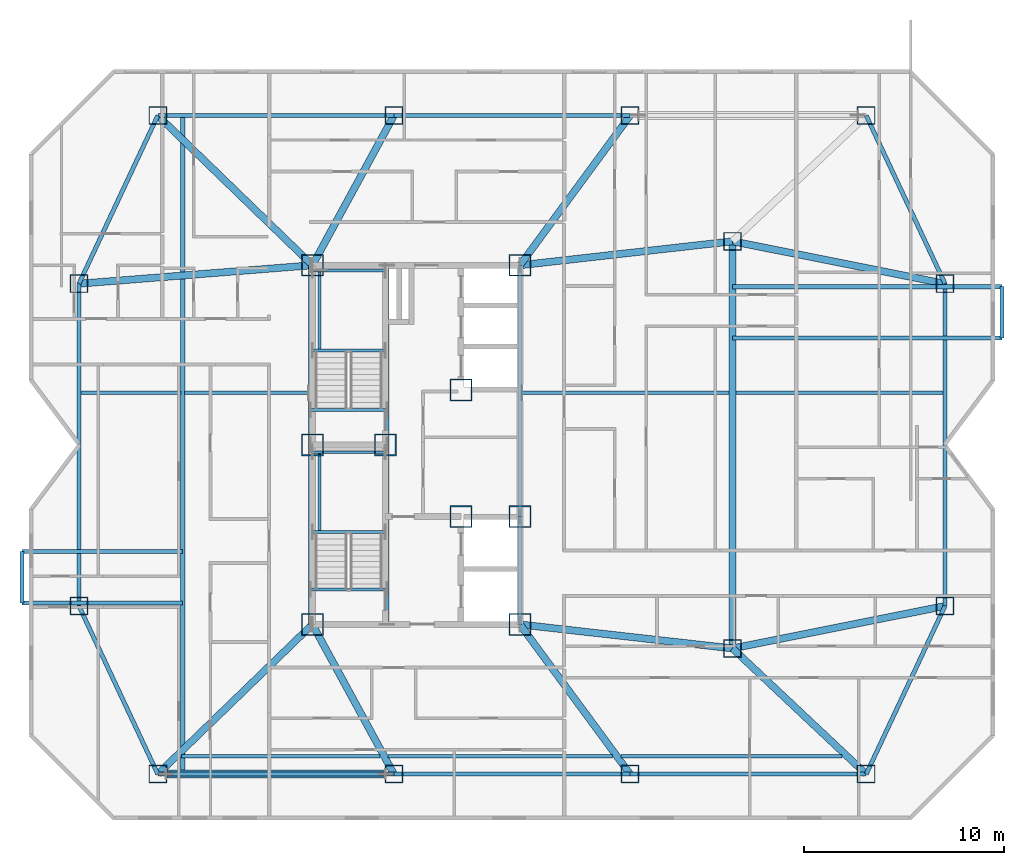
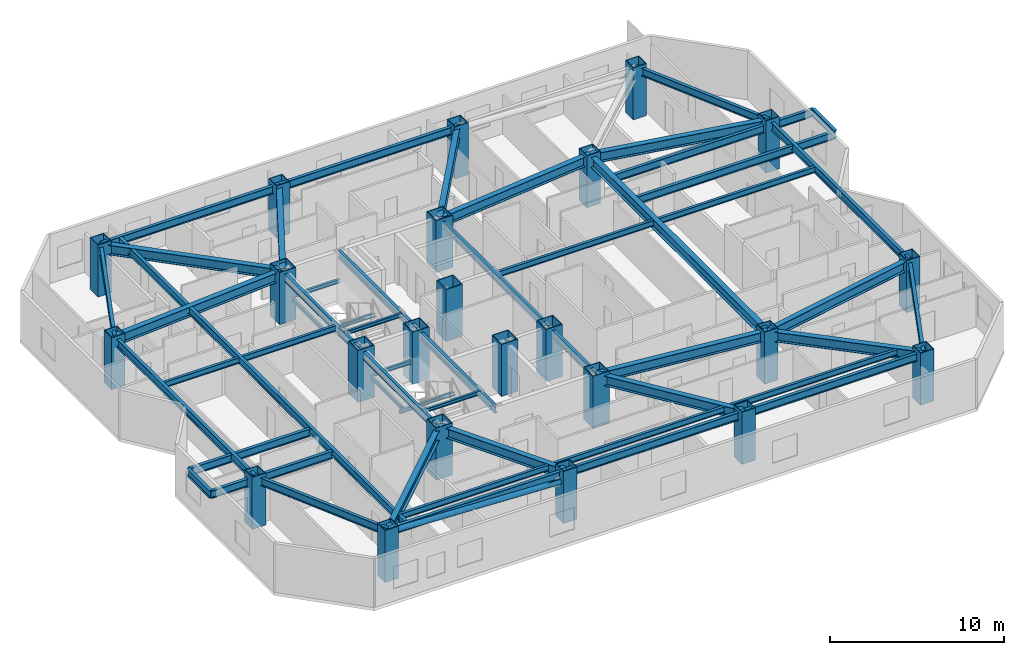
# One storey, part 1 of 12: 52 beams, 23 columns, 1 member.
"""IFC4 building model written with IfcOpenShell, lengths in metres."""

import ifcopenshell
import ifcopenshell.guid

model = None  # the IFC model being written
_history = None  # IfcOwnerHistory: only IFC2X3 demands one
_inside = {}  # id of a spatial element -> (the spatial element, [elements in it])
_under = {}  # id of a project, library or spatial element -> (it, [spatial elements below it])
_declared = {}  # id of a project -> (the project, [libraries it declares])
_typed = {}  # id of a type object -> (the type object, [elements of that type])
_made_of = {}  # id of a material, layer set ... -> (it, [elements and type objects made of it])


def new_model(schema):
    """Start an empty IFC model of exactly this schema.

    Asked for "IFC4X3", IfcOpenShell would pick the latest addendum, in which some entities
    have other attributes; the version numbers below select the first issue.
    IFC2X3 requires an IfcOwnerHistory on every rooted entity: one is made here for all.
    """
    global model, _history
    if schema == "IFC4X3":
        model = ifcopenshell.file(schema_version=(4, 3, 0, 0))
    else:
        model = ifcopenshell.file(schema=schema)
    _inside.clear()
    _under.clear()
    _declared.clear()
    _typed.clear()
    _made_of.clear()
    _history = None
    if model.schema == "IFC2X3":
        org = make("IfcOrganization", Name="unknown")
        user = make(
            "IfcPersonAndOrganization",
            ThePerson=make("IfcPerson", FamilyName="unknown"),
            TheOrganization=org,
        )
        app = make(
            "IfcApplication",
            ApplicationDeveloper=org,
            Version="unknown",
            ApplicationFullName="unknown",
            ApplicationIdentifier="unknown",
        )
        _history = make(
            "IfcOwnerHistory",
            OwningUser=user,
            OwningApplication=app,
            ChangeAction="ADDED",
            CreationDate=0,
        )
    return model


def make(cls, **values):
    """One entity of the class cls with the attributes given. An attribute that is None is left unset."""
    return model.create_entity(
        cls, **{name: value for name, value in values.items() if value is not None}
    )


def rooted(cls, **values):
    """An entity with a GlobalId (a new one), such as an element, a storey or a relation."""
    return make(cls, GlobalId=ifcopenshell.guid.new(), OwnerHistory=_history, **values)


def si_unit(unit_type, name, prefix=None):
    """IfcSIUnit, for example si_unit("LENGTHUNIT", "METRE", prefix="MILLI")."""
    return make("IfcSIUnit", UnitType=unit_type, Prefix=prefix, Name=name)


def assignment(units):
    """IfcUnitAssignment: the units of a project."""
    return None if units is None else make("IfcUnitAssignment", Units=units)


def point(xyz):
    """IfcCartesianPoint."""
    return None if xyz is None else make("IfcCartesianPoint", Coordinates=xyz)


def direction(xyz):
    """IfcDirection."""
    return None if xyz is None else make("IfcDirection", DirectionRatios=xyz)


def frame(location, z_axis=None, x_axis=None):
    """IfcAxis2Placement3D, a coordinate frame: its origin and axes. An axis left out is left unset."""
    return make(
        "IfcAxis2Placement3D",
        Location=point(location),
        Axis=direction(z_axis),
        RefDirection=direction(x_axis),
    )


def frame_2d(location, x_axis=None):
    """IfcAxis2Placement2D, a coordinate frame in the plane: its origin and x axis."""
    return make(
        "IfcAxis2Placement2D", Location=point(location), RefDirection=direction(x_axis)
    )


def origin():
    """The frame at (0, 0, 0) with its axes left unset."""
    return frame((0.0, 0.0, 0.0))


def origin_2d():
    """The frame at (0, 0) in the plane with its x axis left unset."""
    return frame_2d((0.0, 0.0))


def place(relative_to, where):
    """IfcLocalPlacement: puts the frame where relative to a parent placement (None: the world)."""
    return make(
        "IfcLocalPlacement", PlacementRelTo=relative_to, RelativePlacement=where
    )


def context(
    kind, dimensions, precision=None, world=None, true_north=None, identifier=None
):
    """IfcGeometricRepresentationContext, for example the 3D "Model" context."""
    return make(
        "IfcGeometricRepresentationContext",
        ContextIdentifier=identifier,
        ContextType=kind,
        CoordinateSpaceDimension=dimensions,
        Precision=precision,
        WorldCoordinateSystem=world,
        TrueNorth=true_north,
    )


def subcontext(parent, identifier, kind, view, scale=None):
    """IfcGeometricRepresentationSubContext, for example "Body" below "Model"."""
    return make(
        "IfcGeometricRepresentationSubContext",
        ContextIdentifier=identifier,
        ContextType=kind,
        ParentContext=parent,
        TargetScale=scale,
        TargetView=view,
    )


def project(units=None, contexts=None):
    """IfcProject with its units and contexts."""
    return rooted(
        "IfcProject",
        Name="project",
        RepresentationContexts=contexts,
        UnitsInContext=assignment(units),
    )


def spatial(cls, under=None, at=None, **own):
    """A site, building, storey or space (cls), placed at a placement, below another one or the project."""
    s = rooted(cls, ObjectPlacement=at, **own)
    if under is not None:
        _under.setdefault(under.id(), (under, []))[1].append(s)
    return s


def profile(cls, at=None, kind="AREA", **sizes):
    """A parametric profile (cls). Its sizes go by their IFC names, for example OverallWidth=200.0."""
    return make(cls, ProfileType=kind, Position=at, **sizes)


def hollow_rectangle(**sizes):
    """IfcRectangleHollowProfileDef."""
    return profile("IfcRectangleHollowProfileDef", **sizes)


def hollow_circle(**sizes):
    """IfcCircleHollowProfileDef."""
    return profile("IfcCircleHollowProfileDef", **sizes)


def i_section(**sizes):
    """IfcIShapeProfileDef."""
    return profile("IfcIShapeProfileDef", **sizes)


def extrude(swept, where, along, depth):
    """IfcExtrudedAreaSolid: the profile swept, set in the frame where, extruded along a direction by depth."""
    return make(
        "IfcExtrudedAreaSolid",
        SweptArea=swept,
        Position=where,
        ExtrudedDirection=direction(along),
        Depth=depth,
    )


def shape(context_of_items, identifier, shape_type, items):
    """IfcShapeRepresentation: the items that make up one representation, for example the "Body"."""
    return make(
        "IfcShapeRepresentation",
        ContextOfItems=context_of_items,
        RepresentationIdentifier=identifier,
        RepresentationType=shape_type,
        Items=items,
    )


def material(Name=None, Category=None):
    """IfcMaterial."""
    return make("IfcMaterial", Name=Name, Category=Category)


def material_profile(
    of_material, cross_section, Name=None, Category=None, Priority=None
):
    """IfcMaterialProfile: a cross section and its material."""
    return make(
        "IfcMaterialProfile",
        Name=Name,
        Material=of_material,
        Profile=cross_section,
        Priority=Priority,
        Category=Category,
    )


def profile_set(profiles, Name=None, composite=None):
    """IfcMaterialProfileSet."""
    return make(
        "IfcMaterialProfileSet",
        Name=Name,
        MaterialProfiles=profiles,
        CompositeProfile=composite,
    )


def made_of(thing, what):
    """Note that an element or type object is made of a material, layer set ...; save() writes the relation."""
    if what is not None:
        _made_of.setdefault(what.id(), (what, []))[1].append(thing)
    return thing


def type_object(cls, material=None, **own):
    """A type object (cls), such as IfcWallType, which elements share."""
    return made_of(rooted(cls, **own), material)


def element(
    cls,
    number,
    at=None,
    inside=None,
    cuts=None,
    type_object=None,
    material=None,
    context=None,
    identifier="Body",
    shape_type=None,
    held_by="IfcProductDefinitionShape",
    body=None,
    shapes=None,
    **own,
):
    """One element of the class cls, such as IfcWall. Its Tag is "e" and its number.

    at: its placement. inside: the storey or other place that contains it. cuts: it is an
    opening in that element (IfcRelVoidsElement). A single representation is given by context,
    identifier, shape_type and body (its items); several are given by shapes. held_by: the class
    of the entity that holds the representations. save() writes the other relations.
    """
    e = rooted(cls, Tag="e%d" % number, ObjectPlacement=at, **own)
    if body is not None:
        shapes = [shape(context, identifier, shape_type, body)]
    if shapes is not None:
        e.Representation = make(held_by, Representations=shapes)
    if inside is not None:
        _inside.setdefault(inside.id(), (inside, []))[1].append(e)
    if cuts is not None:
        rooted(
            "IfcRelVoidsElement", RelatingBuildingElement=cuts, RelatedOpeningElement=e
        )
    if type_object is not None:
        _typed.setdefault(type_object.id(), (type_object, []))[1].append(e)
    return made_of(e, material)


def aggregate(whole, parts):
    """IfcRelAggregates: a whole, such as a stair, and the parts it consists of."""
    return rooted("IfcRelAggregates", RelatingObject=whole, RelatedObjects=parts)


def save(model, path):
    """Write the relations noted so far, then the file.

    IfcRelAggregates (storeys below a building ...), IfcRelContainedInSpatialStructure (elements
    in a storey), IfcRelDefinesByType, IfcRelAssociatesMaterial and IfcRelDeclares: one each for
    every whole, place, type object, material and project.
    """
    for whole, parts in _under.values():
        aggregate(whole, parts)
    for where, things in _inside.values():
        rooted(
            "IfcRelContainedInSpatialStructure",
            RelatedElements=things,
            RelatingStructure=where,
        )
    for kind, things in _typed.values():
        rooted("IfcRelDefinesByType", RelatedObjects=things, RelatingType=kind)
    for what, things in _made_of.values():
        rooted("IfcRelAssociatesMaterial", RelatedObjects=things, RelatingMaterial=what)
    for by, libraries in _declared.values():
        rooted("IfcRelDeclares", RelatingContext=by, RelatedDefinitions=libraries)
    model.write(path)


model = new_model("IFC4")

# Units and contexts
model_context = context("Model", 3, precision=1e-05, world=origin(), true_north=direction((0.0, 1.0)))
body_context = subcontext(model_context, "Body", "Model", "MODEL_VIEW")
ifc_project = project(units=[si_unit("LENGTHUNIT", "METRE"), si_unit("AREAUNIT", "SQUARE_METRE"), si_unit("VOLUMEUNIT", "CUBIC_METRE"), si_unit("PLANEANGLEUNIT", "RADIAN"), si_unit("MASSUNIT", "GRAM", prefix="KILO")], contexts=[model_context])

# Site, building, storey
site_placement = place(None, origin())
site = spatial("IfcSite", under=ifc_project, at=site_placement, CompositionType="ELEMENT")
building_placement = place(site_placement, origin())
building = spatial("IfcBuilding", under=site, at=building_placement, Name="Khamvora Tower", CompositionType="ELEMENT")
storey_placement = place(building_placement, frame((0.0, 0.0, 177.800048828125)))
storey = spatial("IfcBuildingStorey", under=building, at=storey_placement, Name="L45", CompositionType="ELEMENT", Elevation=177.800048828125)

# Columns
ifc_material_1 = material(Name="Steel S460", Category="steel")
ifc_material_profile_1 = material_profile(ifc_material_1, hollow_rectangle(XDim=1.10009765625, YDim=1.10009765625, WallThickness=0.054931640625, at=origin_2d()), Name="BOX1100x1100x55")
ifc_profile_set_1 = profile_set([ifc_material_profile_1], Name="Steel S460")
column_type_1 = type_object("IfcColumnType", Name="COL-BOX1100", PredefinedType="COLUMN", material=ifc_profile_set_1)
for number, where, z_axis, x_axis, name in (
    (1, (29.0, 19.0, 0.0), (0.0, 0.0, 1.0), (1.0, 0.0, 0.0), "L45 plumb core spine column SC1"),
    (2, (32.64990234375, 28.0, 0.0), (0.0, 0.0, 1.0), (1.0, 0.0, 0.0), "L45 plumb core spine column SC2"),
    (3, (39.39990234375, 19.0, 0.0), (0.0, 0.0, 1.0), (1.0, 0.0, 0.0), "L45 plumb core spine column SC3"),
    (4, (29.0, 28.0, 0.0), (0.0, 0.0, 1.0), (1.0, 0.0, 0.0), "L45 plumb core spine column SC4"),
    (5, (36.449951171875, 24.39990234375, 0.0), (0.0, 0.0, 1.0), (1.0, 0.0, 0.0), "L45 plumb core spine column SC5"),
    (6, (39.39990234375, 24.39990234375, 0.0), (0.0, 0.0, 1.0), (1.0, 0.0, 0.0), "L45 plumb core spine column SC6"),
    (7, (29.0, 37.0, 0.0), (0.0, 0.0, 1.0), (1.0, 0.0, 0.0), "L45 plumb core spine column SC7"),
    (8, (36.449951171875, 30.75, 0.0), (0.0, 0.0, 1.0), (1.0, 0.0, 0.0), "L45 plumb core spine column SC8"),
    (9, (39.39990234375, 37.0, 0.0), (0.0, 0.0, 1.0), (1.0, 0.0, 0.0), "L45 plumb core spine column SC9"),
):
    element("IfcColumn", number, at=place(storey_placement, frame(where, z_axis=z_axis, x_axis=x_axis)), inside=storey, type_object=column_type_1, Name=name, PredefinedType="COLUMN", context=body_context, shape_type="SweptSolid", body=[
        extrude(hollow_rectangle(XDim=1.10009765625, YDim=1.10009765625, WallThickness=0.054931640625, at=origin_2d()), origin(), (0.0, 0.0, 1.0), 3.64990234375),
    ])
ifc_material_2 = material(Name="Steel S355", Category="steel")
ifc_material_profile_2 = material_profile(ifc_material_2, hollow_rectangle(XDim=0.89990234375, YDim=0.89990234375, WallThickness=0.044921875, at=origin_2d()), Name="BOX900x900x45")
ifc_profile_set_2 = profile_set([ifc_material_profile_2], Name="Steel S355")
column_type_2 = type_object("IfcColumnType", Name="COL-BOX900", PredefinedType="COLUMN", material=ifc_profile_set_2)
for number, where, z_axis, x_axis, name in (
    (10, (21.25, 11.5, 0.0), (0.0, 0.0, 1.0), (1.0, 0.0, 0.0), "L45 structural frame column S1"),
    (11, (33.0830078125, 11.5, 0.0), (0.0, 0.0, 1.0), (1.0, 0.0, 0.0), "L45 structural frame column S2"),
    (12, (44.9169921875, 11.5, 0.0), (0.0, 0.0, 1.0), (1.0, 0.0, 0.0), "L45 structural frame column S3"),
    (13, (56.75, 11.5, 0.0), (0.0, 0.0, 1.0), (1.0, 0.0, 0.0), "L45 structural frame column S4"),
    (14, (21.25, 44.5, 0.0), (0.0, 0.0, 1.0), (1.0, 0.0, 0.0), "L45 structural frame column N1"),
    (15, (33.0830078125, 44.5, 0.0), (0.0, 0.0, 1.0), (1.0, 0.0, 0.0), "L45 structural frame column N2"),
    (16, (44.9169921875, 44.5, 0.0), (0.0, 0.0, 1.0), (1.0, 0.0, 0.0), "L45 structural frame column N3"),
    (17, (56.75, 44.5, 0.0), (0.0, 0.0, 1.0), (1.0, 0.0, 0.0), "L45 structural frame column N4"),
    (18, (17.300048828125, 19.925048828125, 0.0), (0.0, 0.0, 1.0), (1.0, 0.0, 0.0), "L45 structural frame column W1"),
    (19, (17.300048828125, 36.074951171875, 0.0), (0.0, 0.0, 1.0), (1.0, 0.0, 0.0), "L45 structural frame column W2"),
    (20, (60.699951171875, 19.925048828125, 0.0), (0.0, 0.0, 1.0), (1.0, 0.0, 0.0), "L45 structural frame column E1"),
    (21, (60.699951171875, 36.074951171875, 0.0), (0.0, 0.0, 1.0), (1.0, 0.0, 0.0), "L45 structural frame column E2"),
    (22, (50.050048828125, 17.800048828125, 0.0), (0.0, 0.0, 1.0), (1.0, 0.0, 0.0), "L45 structural frame column M1"),
    (23, (50.050048828125, 38.199951171875, 0.0), (0.0, 0.0, 1.0), (1.0, 0.0, 0.0), "L45 structural frame column M2"),
):
    element("IfcColumn", number, at=place(storey_placement, frame(where, z_axis=z_axis, x_axis=x_axis)), inside=storey, type_object=column_type_2, Name=name, PredefinedType="COLUMN", context=body_context, shape_type="SweptSolid", body=[
        extrude(hollow_rectangle(XDim=0.89990234375, YDim=0.89990234375, WallThickness=0.044921875, at=origin_2d()), origin(), (0.0, 0.0, 1.0), 3.64990234375),
    ])

# Beams
ifc_material_profile_3 = material_profile(ifc_material_2, i_section(OverallWidth=0.177978515625, OverallDepth=0.406982421875, WebThickness=0.008056640625, FlangeThickness=0.012939453125, FilletRadius=0.010009765625, at=origin_2d()), Name="W410x60")
ifc_profile_set_3 = profile_set([ifc_material_profile_3], Name="Steel S355")
beam_type_1 = type_object("IfcBeamType", Name="BM-JS-W410x60", PredefinedType="JOIST", material=ifc_profile_set_3)
beam_1_placement = place(storey_placement, frame((22.429931640625, 12.39990234375, 3.225830078125), z_axis=(1.0, 0.0, 0.0), x_axis=(0.0, 1.0, 0.0)))
element("IfcBeam", 24, at=beam_1_placement, inside=storey, type_object=beam_type_1, Name="L45 secondary floor joist 01", PredefinedType="JOIST", context=body_context, shape_type="SweptSolid", body=[
    extrude(i_section(OverallWidth=0.177978515625, OverallDepth=0.406982421875, WebThickness=0.008056640625, FlangeThickness=0.012939453125, FilletRadius=0.010009765625, at=origin_2d()), origin(), (0.0, 0.0, 1.0), 9.966064453125),
])
beam_2_placement = place(storey_placement, frame((32.7900390625, 12.39990234375, 3.225830078125), z_axis=(1.0, 0.0, 0.0), x_axis=(0.0, 1.0, 0.0)))
element("IfcBeam", 25, at=beam_2_placement, inside=storey, type_object=beam_type_1, Name="L45 secondary floor joist 02", PredefinedType="JOIST", context=body_context, shape_type="SweptSolid", body=[
    extrude(i_section(OverallWidth=0.177978515625, OverallDepth=0.406982421875, WebThickness=0.008056640625, FlangeThickness=0.012939453125, FilletRadius=0.010009765625, at=origin_2d()), origin(), (0.0, 0.0, 1.0), 11.25),
])
beam_3_placement = place(storey_placement, frame((44.469970703125, 12.39990234375, 3.225830078125), z_axis=(1.0, 0.0, 0.0), x_axis=(0.0, 1.0, 0.0)))
element("IfcBeam", 26, at=beam_3_placement, inside=storey, type_object=beam_type_1, Name="L45 secondary floor joist 03", PredefinedType="JOIST", context=body_context, shape_type="SweptSolid", body=[
    extrude(i_section(OverallWidth=0.177978515625, OverallDepth=0.406982421875, WebThickness=0.008056640625, FlangeThickness=0.012939453125, FilletRadius=0.010009765625, at=origin_2d()), origin(), (0.0, 0.0, 1.0), 11.069091796875),
])
beam_4_placement = place(storey_placement, frame((17.40087890625, 30.60009765625, 3.225830078125), z_axis=(1.0, 0.0, 0.0), x_axis=(0.0, 1.0, 0.0)))
element("IfcBeam", 27, at=beam_4_placement, inside=storey, type_object=beam_type_1, Name="L45 secondary floor joist 04", PredefinedType="JOIST", context=body_context, shape_type="SweptSolid", body=[
    extrude(i_section(OverallWidth=0.177978515625, OverallDepth=0.406982421875, WebThickness=0.008056640625, FlangeThickness=0.012939453125, FilletRadius=0.010009765625, at=origin_2d()), origin(), (0.0, 0.0, 1.0), 5.0),
])
beam_5_placement = place(storey_placement, frame((22.59912109375, 30.60009765625, 3.225830078125), z_axis=(1.0, 0.0, 0.0), x_axis=(0.0, 1.0, 0.0)))
element("IfcBeam", 28, at=beam_5_placement, inside=storey, type_object=beam_type_1, Name="L45 secondary floor joist 05", PredefinedType="JOIST", context=body_context, shape_type="SweptSolid", body=[
    extrude(i_section(OverallWidth=0.177978515625, OverallDepth=0.406982421875, WebThickness=0.008056640625, FlangeThickness=0.012939453125, FilletRadius=0.010009765625, at=origin_2d()), origin(), (0.0, 0.0, 1.0), 6.200927734375),
])
beam_6_placement = place(storey_placement, frame((39.4990234375, 30.60009765625, 3.225830078125), z_axis=(1.0, 0.0, 0.0), x_axis=(0.0, 1.0, 0.0)))
element("IfcBeam", 29, at=beam_6_placement, inside=storey, type_object=beam_type_1, Name="L45 secondary floor joist 06", PredefinedType="JOIST", context=body_context, shape_type="SweptSolid", body=[
    extrude(i_section(OverallWidth=0.177978515625, OverallDepth=0.406982421875, WebThickness=0.008056640625, FlangeThickness=0.012939453125, FilletRadius=0.010009765625, at=origin_2d()), origin(), (0.0, 0.0, 1.0), 10.3779296875),
])
beam_7_placement = place(storey_placement, frame((50.221923828125, 30.60009765625, 3.225830078125), z_axis=(1.0, 0.0, 0.0), x_axis=(0.0, 1.0, 0.0)))
element("IfcBeam", 30, at=beam_7_placement, inside=storey, type_object=beam_type_1, Name="L45 secondary floor joist 07", PredefinedType="JOIST", context=body_context, shape_type="SweptSolid", body=[
    extrude(i_section(OverallWidth=0.177978515625, OverallDepth=0.406982421875, WebThickness=0.008056640625, FlangeThickness=0.012939453125, FilletRadius=0.010009765625, at=origin_2d()), origin(), (0.0, 0.0, 1.0), 10.377197265625),
])
ifc_material_profile_4 = material_profile(ifc_material_2, i_section(OverallWidth=0.14697265625, OverallDepth=0.261962890625, WebThickness=0.007080078125, FlangeThickness=0.010986328125, FilletRadius=0.008056640625, at=origin_2d()), Name="W250x39")
ifc_profile_set_4 = profile_set([ifc_material_profile_4], Name="Steel S355")
beam_type_2 = type_object("IfcBeamType", Name="BM-LN-W250x39", PredefinedType="LINTEL", material=ifc_profile_set_4)
for number, where, z_axis, x_axis, name in (
    (31, (29.0, 23.635009765625, 1.493896484375), (1.0, 0.0, 0.0), (0.0, 1.0, 0.0), "L45 ST-01 half-landing support beam 1.1"),
    (32, (29.0, 27.6298828125, 1.493896484375), (1.0, 0.0, 0.0), (0.0, 1.0, 0.0), "L45 ST-01 half-landing support beam 1.2"),
):
    element("IfcBeam", number, at=place(storey_placement, frame(where, z_axis=z_axis, x_axis=x_axis)), inside=storey, type_object=beam_type_2, Name=name, PredefinedType="LINTEL", context=body_context, shape_type="SweptSolid", body=[
        extrude(i_section(OverallWidth=0.14697265625, OverallDepth=0.261962890625, WebThickness=0.007080078125, FlangeThickness=0.010986328125, FilletRadius=0.008056640625, at=origin_2d()), origin(), (0.0, 0.0, 1.0), 3.64990234375),
    ])
beam_8_placement = place(storey_placement, frame((29.35009765625, 23.635009765625, 1.493896484375), z_axis=(0.0, 1.0, 0.0), x_axis=(-1.0, 0.0, 0.0)))
element("IfcBeam", 33, at=beam_8_placement, inside=storey, type_object=beam_type_2, Name="L45 ST-01 half-landing edge stringer 1", PredefinedType="LINTEL", context=body_context, shape_type="SweptSolid", body=[
    extrude(i_section(OverallWidth=0.14697265625, OverallDepth=0.261962890625, WebThickness=0.007080078125, FlangeThickness=0.010986328125, FilletRadius=0.008056640625, at=origin_2d()), origin(), (0.0, 0.0, 1.0), 3.994873046875),
])
for number, where, z_axis, x_axis, name in (
    (34, (29.0, 32.735107421875, 1.493896484375), (1.0, 0.0, 0.0), (0.0, 1.0, 0.0), "L45 ST-02 half-landing support beam 1.1"),
    (35, (29.0, 36.72998046875, 1.493896484375), (1.0, 0.0, 0.0), (0.0, 1.0, 0.0), "L45 ST-02 half-landing support beam 1.2"),
):
    element("IfcBeam", number, at=place(storey_placement, frame(where, z_axis=z_axis, x_axis=x_axis)), inside=storey, type_object=beam_type_2, Name=name, PredefinedType="LINTEL", context=body_context, shape_type="SweptSolid", body=[
        extrude(i_section(OverallWidth=0.14697265625, OverallDepth=0.261962890625, WebThickness=0.007080078125, FlangeThickness=0.010986328125, FilletRadius=0.008056640625, at=origin_2d()), origin(), (0.0, 0.0, 1.0), 3.64990234375),
    ])
beam_9_placement = place(storey_placement, frame((29.35009765625, 32.735107421875, 1.493896484375), z_axis=(0.0, 1.0, 0.0), x_axis=(-1.0, 0.0, 0.0)))
element("IfcBeam", 36, at=beam_9_placement, inside=storey, type_object=beam_type_2, Name="L45 ST-02 half-landing edge stringer 1", PredefinedType="LINTEL", context=body_context, shape_type="SweptSolid", body=[
    extrude(i_section(OverallWidth=0.14697265625, OverallDepth=0.261962890625, WebThickness=0.007080078125, FlangeThickness=0.010986328125, FilletRadius=0.008056640625, at=origin_2d()), origin(), (0.0, 0.0, 1.0), 3.994873046875),
])
for number, where, z_axis, x_axis, name in (
    (37, (28.89990234375, 20.75, 3.303955078125), (1.0, 0.0, 0.0), (0.0, 1.0, 0.0), "L45 exit stair ST-01 landing trimmer beam"),
    (38, (28.89990234375, 29.75, 3.303955078125), (1.0, 0.0, 0.0), (0.0, 1.0, 0.0), "L45 exit stair ST-02 landing trimmer beam"),
):
    element("IfcBeam", number, at=place(storey_placement, frame(where, z_axis=z_axis, x_axis=x_axis)), inside=storey, type_object=beam_type_2, Name=name, PredefinedType="LINTEL", context=body_context, shape_type="SweptSolid", body=[
        extrude(i_section(OverallWidth=0.14697265625, OverallDepth=0.261962890625, WebThickness=0.007080078125, FlangeThickness=0.010986328125, FilletRadius=0.008056640625, at=origin_2d()), origin(), (0.0, 0.0, 1.0), 3.830078125),
    ])
ifc_material_profile_5 = material_profile(ifc_material_2, i_section(OverallWidth=0.35498046875, OverallDepth=0.695068359375, WebThickness=0.014892578125, FlangeThickness=0.02490234375, FilletRadius=0.01611328125, at=origin_2d()), Name="W690x217")
ifc_profile_set_5 = profile_set([ifc_material_profile_5], Name="Steel S355")
beam_type_3 = type_object("IfcBeamType", Name="BM-PG-W690x217", PredefinedType="BEAM", material=ifc_profile_set_5)
beam_10_placement = place(storey_placement, frame((50.050048828125, 17.800048828125, 3.08203125), z_axis=(0.0, 1.0, 0.0), x_axis=(-1.0, 0.0, 0.0)))
element("IfcBeam", 39, at=beam_10_placement, inside=storey, type_object=beam_type_3, Name="L45 longitudinal frame girder M1-M2", PredefinedType="BEAM", context=body_context, shape_type="SweptSolid", body=[
    extrude(i_section(OverallWidth=0.35498046875, OverallDepth=0.695068359375, WebThickness=0.014892578125, FlangeThickness=0.02490234375, FilletRadius=0.01611328125, at=origin_2d()), origin(), (0.0, 0.0, 1.0), 20.39990234375),
])
beam_11_placement = place(storey_placement, frame((29.0, 19.0, 3.08203125), z_axis=(-0.718602141767, -0.695421427516, 0.0), x_axis=(0.695421427516, -0.718602141767, 0.0)))
element("IfcBeam", 40, at=beam_11_placement, inside=storey, type_object=beam_type_3, Name="L45 primary floor girder S1", PredefinedType="BEAM", context=body_context, shape_type="SweptSolid", body=[
    extrude(i_section(OverallWidth=0.35498046875, OverallDepth=0.695068359375, WebThickness=0.014892578125, FlangeThickness=0.02490234375, FilletRadius=0.01611328125, at=origin_2d()), origin(), (0.0, 0.0, 1.0), 10.784912109375),
])
beam_12_placement = place(storey_placement, frame((29.0, 19.0, 3.08203125), z_axis=(0.478138862063, -0.878284252725, 0.0), x_axis=(0.878284252725, 0.478138862063, 0.0)))
element("IfcBeam", 41, at=beam_12_placement, inside=storey, type_object=beam_type_3, Name="L45 primary floor girder S2", PredefinedType="BEAM", context=body_context, shape_type="SweptSolid", body=[
    extrude(i_section(OverallWidth=0.35498046875, OverallDepth=0.695068359375, WebThickness=0.014892578125, FlangeThickness=0.02490234375, FilletRadius=0.01611328125, at=origin_2d()), origin(), (0.0, 0.0, 1.0), 8.539306640625),
])
beam_13_placement = place(storey_placement, frame((39.39990234375, 19.0, 3.08203125), z_axis=(0.592556630955, -0.805528794713, 0.0), x_axis=(0.805528794713, 0.592556630955, 0.0)))
element("IfcBeam", 42, at=beam_13_placement, inside=storey, type_object=beam_type_3, Name="L45 primary floor girder S3", PredefinedType="BEAM", context=body_context, shape_type="SweptSolid", body=[
    extrude(i_section(OverallWidth=0.35498046875, OverallDepth=0.695068359375, WebThickness=0.014892578125, FlangeThickness=0.02490234375, FilletRadius=0.01611328125, at=origin_2d()), origin(), (0.0, 0.0, 1.0), 9.310546875),
])
beam_14_placement = place(storey_placement, frame((50.050048828125, 17.800048828125, 3.08203125), z_axis=(0.728513992294, -0.685030921224, 0.0), x_axis=(0.685030921224, 0.728513992294, 0.0)))
element("IfcBeam", 43, at=beam_14_placement, inside=storey, type_object=beam_type_3, Name="L45 primary floor girder S4", PredefinedType="BEAM", context=body_context, shape_type="SweptSolid", body=[
    extrude(i_section(OverallWidth=0.35498046875, OverallDepth=0.695068359375, WebThickness=0.014892578125, FlangeThickness=0.02490234375, FilletRadius=0.01611328125, at=origin_2d()), origin(), (0.0, 0.0, 1.0), 9.19677734375),
])
beam_15_placement = place(storey_placement, frame((29.0, 37.0, 3.08203125), z_axis=(-0.718602141767, 0.695421427516, 0.0), x_axis=(-0.695421427516, -0.718602141767, 0.0)))
element("IfcBeam", 44, at=beam_15_placement, inside=storey, type_object=beam_type_3, Name="L45 primary floor girder N1", PredefinedType="BEAM", context=body_context, shape_type="SweptSolid", body=[
    extrude(i_section(OverallWidth=0.35498046875, OverallDepth=0.695068359375, WebThickness=0.014892578125, FlangeThickness=0.02490234375, FilletRadius=0.01611328125, at=origin_2d()), origin(), (0.0, 0.0, 1.0), 10.784912109375),
])
beam_16_placement = place(storey_placement, frame((29.0, 37.0, 3.08203125), z_axis=(0.478138862063, 0.878284252725, 0.0), x_axis=(-0.878284252725, 0.478138862063, 0.0)))
element("IfcBeam", 45, at=beam_16_placement, inside=storey, type_object=beam_type_3, Name="L45 primary floor girder N2", PredefinedType="BEAM", context=body_context, shape_type="SweptSolid", body=[
    extrude(i_section(OverallWidth=0.35498046875, OverallDepth=0.695068359375, WebThickness=0.014892578125, FlangeThickness=0.02490234375, FilletRadius=0.01611328125, at=origin_2d()), origin(), (0.0, 0.0, 1.0), 8.539306640625),
])
beam_17_placement = place(storey_placement, frame((39.39990234375, 37.0, 3.08203125), z_axis=(0.592556630955, 0.805528794713, 0.0), x_axis=(-0.805528794713, 0.592556630955, 0.0)))
element("IfcBeam", 46, at=beam_17_placement, inside=storey, type_object=beam_type_3, Name="L45 primary floor girder N3", PredefinedType="BEAM", context=body_context, shape_type="SweptSolid", body=[
    extrude(i_section(OverallWidth=0.35498046875, OverallDepth=0.695068359375, WebThickness=0.014892578125, FlangeThickness=0.02490234375, FilletRadius=0.01611328125, at=origin_2d()), origin(), (0.0, 0.0, 1.0), 9.310546875),
])
beam_18_placement = place(storey_placement, frame((29.0, 37.0, 3.08203125), z_axis=(-0.996888993668, -0.078818362728, 0.0), x_axis=(0.078818362728, -0.996888993668, 0.0)))
element("IfcBeam", 47, at=beam_18_placement, inside=storey, type_object=beam_type_3, Name="L45 primary floor girder W2", PredefinedType="BEAM", context=body_context, shape_type="SweptSolid", body=[
    extrude(i_section(OverallWidth=0.35498046875, OverallDepth=0.695068359375, WebThickness=0.014892578125, FlangeThickness=0.02490234375, FilletRadius=0.01611328125, at=origin_2d()), origin(), (0.0, 0.0, 1.0), 11.736572265625),
])
for number, where, z_axis, x_axis, name in (
    (48, (50.050048828125, 17.800048828125, 3.08203125), (0.980668771461, 0.195675140681, 0.0), (-0.195675140681, 0.980668771461, 0.0), "L45 primary floor girder E1"),
    (49, (50.050048828125, 38.199951171875, 3.08203125), (0.980668771461, -0.195675140681, 0.0), (0.195675140681, 0.980668771461, 0.0), "L45 primary floor girder E2"),
):
    element("IfcBeam", number, at=place(storey_placement, frame(where, z_axis=z_axis, x_axis=x_axis)), inside=storey, type_object=beam_type_3, Name=name, PredefinedType="BEAM", context=body_context, shape_type="SweptSolid", body=[
        extrude(i_section(OverallWidth=0.35498046875, OverallDepth=0.695068359375, WebThickness=0.014892578125, FlangeThickness=0.02490234375, FilletRadius=0.01611328125, at=origin_2d()), origin(), (0.0, 0.0, 1.0), 10.85986328125),
    ])
for number, where, z_axis, x_axis, name in (
    (50, (39.39990234375, 19.0, 3.08203125), (0.993712543569, -0.111961514606, 0.0), (0.111961514606, 0.993712543569, 0.0), "L45 primary floor girder M1"),
    (51, (39.39990234375, 37.0, 3.08203125), (0.993712543569, 0.111961514606, 0.0), (-0.111961514606, 0.993712543569, 0.0), "L45 primary floor girder M2"),
):
    element("IfcBeam", number, at=place(storey_placement, frame(where, z_axis=z_axis, x_axis=x_axis)), inside=storey, type_object=beam_type_3, Name=name, PredefinedType="BEAM", context=body_context, shape_type="SweptSolid", body=[
        extrude(i_section(OverallWidth=0.35498046875, OverallDepth=0.695068359375, WebThickness=0.014892578125, FlangeThickness=0.02490234375, FilletRadius=0.01611328125, at=origin_2d()), origin(), (0.0, 0.0, 1.0), 10.717529296875),
    ])
ifc_material_profile_6 = material_profile(ifc_material_2, i_section(OverallWidth=0.2119140625, OverallDepth=0.5439453125, WebThickness=0.012939453125, FlangeThickness=0.02099609375, FilletRadius=0.013916015625, at=origin_2d()), Name="W530x123")
ifc_profile_set_6 = profile_set([ifc_material_profile_6], Name="Steel S355")
beam_type_4 = type_object("IfcBeamType", Name="BM-SP-W530x123", PredefinedType="SPANDREL", material=ifc_profile_set_6)
beam_19_placement = place(storey_placement, frame((17.300048828125, 19.925048828125, 3.157958984375), z_axis=(0.424496391454, -0.905429629315, 0.0), x_axis=(0.905429629315, 0.424496391454, 0.0)))
element("IfcBeam", 52, at=beam_19_placement, inside=storey, type_object=beam_type_4, Name="L45 perimeter spandrel beam W1-S1", PredefinedType="SPANDREL", context=body_context, shape_type="SweptSolid", body=[
    extrude(i_section(OverallWidth=0.2119140625, OverallDepth=0.5439453125, WebThickness=0.012939453125, FlangeThickness=0.02099609375, FilletRadius=0.013916015625, at=origin_2d()), origin(), (0.0, 0.0, 1.0), 9.304931640625),
])
beam_20_placement = place(storey_placement, frame((21.25, 11.5, 3.157958984375), z_axis=(1.0, 0.0, 0.0), x_axis=(0.0, 1.0, 0.0)))
element("IfcBeam", 53, at=beam_20_placement, inside=storey, type_object=beam_type_4, Name="L45 perimeter spandrel beam S1-S2", PredefinedType="SPANDREL", context=body_context, shape_type="SweptSolid", body=[
    extrude(i_section(OverallWidth=0.2119140625, OverallDepth=0.5439453125, WebThickness=0.012939453125, FlangeThickness=0.02099609375, FilletRadius=0.013916015625, at=origin_2d()), origin(), (0.0, 0.0, 1.0), 11.8330078125),
])
beam_21_placement = place(storey_placement, frame((33.0830078125, 11.5, 3.157958984375), z_axis=(1.0, 0.0, 0.0), x_axis=(0.0, 1.0, 0.0)))
element("IfcBeam", 54, at=beam_21_placement, inside=storey, type_object=beam_type_4, Name="L45 perimeter spandrel beam S2-S3", PredefinedType="SPANDREL", context=body_context, shape_type="SweptSolid", body=[
    extrude(i_section(OverallWidth=0.2119140625, OverallDepth=0.5439453125, WebThickness=0.012939453125, FlangeThickness=0.02099609375, FilletRadius=0.013916015625, at=origin_2d()), origin(), (0.0, 0.0, 1.0), 11.833984375),
])
beam_22_placement = place(storey_placement, frame((44.9169921875, 11.5, 3.157958984375), z_axis=(1.0, 0.0, 0.0), x_axis=(0.0, 1.0, 0.0)))
element("IfcBeam", 55, at=beam_22_placement, inside=storey, type_object=beam_type_4, Name="L45 perimeter spandrel beam S3-S4", PredefinedType="SPANDREL", context=body_context, shape_type="SweptSolid", body=[
    extrude(i_section(OverallWidth=0.2119140625, OverallDepth=0.5439453125, WebThickness=0.012939453125, FlangeThickness=0.02099609375, FilletRadius=0.013916015625, at=origin_2d()), origin(), (0.0, 0.0, 1.0), 11.8330078125),
])
beam_23_placement = place(storey_placement, frame((56.75, 11.5, 3.157958984375), z_axis=(0.424496391454, 0.905429629315, 0.0), x_axis=(-0.905429629315, 0.424496391454, 0.0)))
element("IfcBeam", 56, at=beam_23_placement, inside=storey, type_object=beam_type_4, Name="L45 perimeter spandrel beam S4-E1", PredefinedType="SPANDREL", context=body_context, shape_type="SweptSolid", body=[
    extrude(i_section(OverallWidth=0.2119140625, OverallDepth=0.5439453125, WebThickness=0.012939453125, FlangeThickness=0.02099609375, FilletRadius=0.013916015625, at=origin_2d()), origin(), (0.0, 0.0, 1.0), 9.304931640625),
])
beam_24_placement = place(storey_placement, frame((60.699951171875, 19.925048828125, 3.157958984375), z_axis=(0.0, 1.0, 0.0), x_axis=(-1.0, 0.0, 0.0)))
element("IfcBeam", 57, at=beam_24_placement, inside=storey, type_object=beam_type_4, Name="L45 perimeter spandrel beam E1-E2", PredefinedType="SPANDREL", context=body_context, shape_type="SweptSolid", body=[
    extrude(i_section(OverallWidth=0.2119140625, OverallDepth=0.5439453125, WebThickness=0.012939453125, FlangeThickness=0.02099609375, FilletRadius=0.013916015625, at=origin_2d()), origin(), (0.0, 0.0, 1.0), 16.14990234375),
])
beam_25_placement = place(storey_placement, frame((60.699951171875, 36.074951171875, 3.157958984375), z_axis=(-0.424496391454, 0.905429629315, 0.0), x_axis=(-0.905429629315, -0.424496391454, 0.0)))
element("IfcBeam", 58, at=beam_25_placement, inside=storey, type_object=beam_type_4, Name="L45 perimeter spandrel beam E2-N4", PredefinedType="SPANDREL", context=body_context, shape_type="SweptSolid", body=[
    extrude(i_section(OverallWidth=0.2119140625, OverallDepth=0.5439453125, WebThickness=0.012939453125, FlangeThickness=0.02099609375, FilletRadius=0.013916015625, at=origin_2d()), origin(), (0.0, 0.0, 1.0), 9.304931640625),
])
beam_26_placement = place(storey_placement, frame((44.9169921875, 44.5, 3.157958984375), z_axis=(-1.0, 0.0, 0.0), x_axis=(0.0, -1.0, 0.0)))
element("IfcBeam", 59, at=beam_26_placement, inside=storey, type_object=beam_type_4, Name="L45 perimeter spandrel beam N3-N2", PredefinedType="SPANDREL", context=body_context, shape_type="SweptSolid", body=[
    extrude(i_section(OverallWidth=0.2119140625, OverallDepth=0.5439453125, WebThickness=0.012939453125, FlangeThickness=0.02099609375, FilletRadius=0.013916015625, at=origin_2d()), origin(), (0.0, 0.0, 1.0), 11.833984375),
])
beam_27_placement = place(storey_placement, frame((33.0830078125, 44.5, 3.157958984375), z_axis=(-1.0, 0.0, 0.0), x_axis=(0.0, -1.0, 0.0)))
element("IfcBeam", 60, at=beam_27_placement, inside=storey, type_object=beam_type_4, Name="L45 perimeter spandrel beam N2-N1", PredefinedType="SPANDREL", context=body_context, shape_type="SweptSolid", body=[
    extrude(i_section(OverallWidth=0.2119140625, OverallDepth=0.5439453125, WebThickness=0.012939453125, FlangeThickness=0.02099609375, FilletRadius=0.013916015625, at=origin_2d()), origin(), (0.0, 0.0, 1.0), 11.8330078125),
])
beam_28_placement = place(storey_placement, frame((21.25, 44.5, 3.157958984375), z_axis=(-0.424496391454, -0.905429629315, 0.0), x_axis=(0.905429629315, -0.424496391454, 0.0)))
element("IfcBeam", 61, at=beam_28_placement, inside=storey, type_object=beam_type_4, Name="L45 perimeter spandrel beam N1-W2", PredefinedType="SPANDREL", context=body_context, shape_type="SweptSolid", body=[
    extrude(i_section(OverallWidth=0.2119140625, OverallDepth=0.5439453125, WebThickness=0.012939453125, FlangeThickness=0.02099609375, FilletRadius=0.013916015625, at=origin_2d()), origin(), (0.0, 0.0, 1.0), 9.304931640625),
])
beam_29_placement = place(storey_placement, frame((17.300048828125, 36.074951171875, 3.157958984375), z_axis=(0.0, -1.0, 0.0), x_axis=(1.0, 0.0, 0.0)))
element("IfcBeam", 62, at=beam_29_placement, inside=storey, type_object=beam_type_4, Name="L45 perimeter spandrel beam W2-W1", PredefinedType="SPANDREL", context=body_context, shape_type="SweptSolid", body=[
    extrude(i_section(OverallWidth=0.2119140625, OverallDepth=0.5439453125, WebThickness=0.012939453125, FlangeThickness=0.02099609375, FilletRadius=0.013916015625, at=origin_2d()), origin(), (0.0, 0.0, 1.0), 16.14990234375),
])
ifc_material_profile_7 = material_profile(ifc_material_2, i_section(OverallWidth=0.208984375, OverallDepth=0.532958984375, WebThickness=0.010009765625, FlangeThickness=0.01611328125, FilletRadius=0.013916015625, at=origin_2d()), Name="W530x92")
ifc_profile_set_7 = profile_set([ifc_material_profile_7], Name="Steel S355")
beam_type_5 = type_object("IfcBeamType", Name="BM-SP-W530x92", PredefinedType="SPANDREL", material=ifc_profile_set_7)
for number, where, z_axis, x_axis, name in (
    (63, (28.89990234375, 19.0, 3.162841796875), (0.0, 1.0, 0.0), (-1.0, 0.0, 0.0), "L45 core spine girder WS"),
    (64, (28.89990234375, 28.0, 3.162841796875), (0.0, 1.0, 0.0), (-1.0, 0.0, 0.0), "L45 core spine girder WN"),
    (65, (32.72998046875, 19.0, 3.162841796875), (0.0, 1.0, 0.0), (-1.0, 0.0, 0.0), "L45 core spine girder M1S"),
    (66, (32.72998046875, 28.0, 3.162841796875), (0.0, 1.0, 0.0), (-1.0, 0.0, 0.0), "L45 core spine girder M1N"),
):
    element("IfcBeam", number, at=place(storey_placement, frame(where, z_axis=z_axis, x_axis=x_axis)), inside=storey, type_object=beam_type_5, Name=name, PredefinedType="SPANDREL", context=body_context, shape_type="SweptSolid", body=[
        extrude(i_section(OverallWidth=0.208984375, OverallDepth=0.532958984375, WebThickness=0.010009765625, FlangeThickness=0.01611328125, FilletRadius=0.013916015625, at=origin_2d()), origin(), (0.0, 0.0, 1.0), 9.0),
    ])
beam_30_placement = place(storey_placement, frame((39.39990234375, 19.0, 3.162841796875), z_axis=(0.0, 1.0, 0.0), x_axis=(-1.0, 0.0, 0.0)))
element("IfcBeam", 67, at=beam_30_placement, inside=storey, type_object=beam_type_5, Name="L45 core spine girder ES", PredefinedType="SPANDREL", context=body_context, shape_type="SweptSolid", body=[
    extrude(i_section(OverallWidth=0.208984375, OverallDepth=0.532958984375, WebThickness=0.010009765625, FlangeThickness=0.01611328125, FilletRadius=0.013916015625, at=origin_2d()), origin(), (0.0, 0.0, 1.0), 5.39990234375),
])
beam_31_placement = place(storey_placement, frame((39.39990234375, 24.39990234375, 3.162841796875), z_axis=(0.0, 1.0, 0.0), x_axis=(-1.0, 0.0, 0.0)))
element("IfcBeam", 68, at=beam_31_placement, inside=storey, type_object=beam_type_5, Name="L45 core spine girder EN", PredefinedType="SPANDREL", context=body_context, shape_type="SweptSolid", body=[
    extrude(i_section(OverallWidth=0.208984375, OverallDepth=0.532958984375, WebThickness=0.010009765625, FlangeThickness=0.01611328125, FilletRadius=0.013916015625, at=origin_2d()), origin(), (0.0, 0.0, 1.0), 12.60009765625),
])
for number, where, z_axis, x_axis, name in (
    (69, (50.050048828125, 33.35009765625, 2.962890625), (1.0, 0.0, 0.0), (0.0, 1.0, 0.0), "L45 continuous gallery cantilever girder L46-EL2-1"),
    (70, (50.050048828125, 35.925048828125, 2.962890625), (1.0, 0.0, 0.0), (0.0, 1.0, 0.0), "L45 continuous gallery cantilever girder L46-EL2-2"),
):
    element("IfcBeam", number, at=place(storey_placement, frame(where, z_axis=z_axis, x_axis=x_axis)), inside=storey, type_object=beam_type_5, Name=name, PredefinedType="SPANDREL", context=body_context, shape_type="SweptSolid", body=[
        extrude(i_section(OverallWidth=0.208984375, OverallDepth=0.532958984375, WebThickness=0.010009765625, FlangeThickness=0.01611328125, FilletRadius=0.013916015625, at=origin_2d()), origin(), (0.0, 0.0, 1.0), 13.5),
    ])
beam_32_placement = place(storey_placement, frame((63.550048828125, 33.35009765625, 2.962890625), z_axis=(0.0, 1.0, 0.0), x_axis=(-1.0, 0.0, 0.0)))
element("IfcBeam", 71, at=beam_32_placement, inside=storey, type_object=beam_type_5, Name="L45 external gallery edge header beam L46-EL2", PredefinedType="SPANDREL", context=body_context, shape_type="SweptSolid", body=[
    extrude(i_section(OverallWidth=0.208984375, OverallDepth=0.532958984375, WebThickness=0.010009765625, FlangeThickness=0.01611328125, FilletRadius=0.013916015625, at=origin_2d()), origin(), (0.0, 0.0, 1.0), 2.574951171875),
])
beam_33_placement = place(storey_placement, frame((22.5, 11.5, 3.162841796875), z_axis=(0.0, 1.0, 0.0), x_axis=(-1.0, 0.0, 0.0)))
element("IfcBeam", 72, at=beam_33_placement, inside=storey, type_object=beam_type_5, Name="L45 gallery back-span collector girder W", PredefinedType="SPANDREL", context=body_context, shape_type="SweptSolid", body=[
    extrude(i_section(OverallWidth=0.208984375, OverallDepth=0.532958984375, WebThickness=0.010009765625, FlangeThickness=0.01611328125, FilletRadius=0.013916015625, at=origin_2d()), origin(), (0.0, 0.0, 1.0), 33.0),
])
for number, where, z_axis, x_axis, name in (
    (73, (22.5, 20.074951171875, 2.962890625), (-1.0, 0.0, 0.0), (0.0, -1.0, 0.0), "L45 continuous gallery cantilever girder L46-WL1-1"),
    (74, (22.5, 22.64990234375, 2.962890625), (-1.0, 0.0, 0.0), (0.0, -1.0, 0.0), "L45 continuous gallery cantilever girder L46-WL1-2"),
):
    element("IfcBeam", number, at=place(storey_placement, frame(where, z_axis=z_axis, x_axis=x_axis)), inside=storey, type_object=beam_type_5, Name=name, PredefinedType="SPANDREL", context=body_context, shape_type="SweptSolid", body=[
        extrude(i_section(OverallWidth=0.208984375, OverallDepth=0.532958984375, WebThickness=0.010009765625, FlangeThickness=0.01611328125, FilletRadius=0.013916015625, at=origin_2d()), origin(), (0.0, 0.0, 1.0), 8.050048828125),
    ])
beam_34_placement = place(storey_placement, frame((14.449951171875, 20.074951171875, 2.962890625), z_axis=(0.0, 1.0, 0.0), x_axis=(-1.0, 0.0, 0.0)))
element("IfcBeam", 75, at=beam_34_placement, inside=storey, type_object=beam_type_5, Name="L45 external gallery edge header beam L46-WL1", PredefinedType="SPANDREL", context=body_context, shape_type="SweptSolid", body=[
    extrude(i_section(OverallWidth=0.208984375, OverallDepth=0.532958984375, WebThickness=0.010009765625, FlangeThickness=0.01611328125, FilletRadius=0.013916015625, at=origin_2d()), origin(), (0.0, 0.0, 1.0), 2.574951171875),
])

# Member
ifc_material_profile_8 = material_profile(ifc_material_2, hollow_circle(Radius=0.202880859375, WallThickness=0.01611328125, at=origin_2d()), Name="CHS406x16")
ifc_profile_set_8 = profile_set([ifc_material_profile_8], Name="Steel S355")
member_type = type_object("IfcMemberType", Name="MEM-BR-CHS406", PredefinedType="BRACE", material=ifc_profile_set_8)
member_placement = place(storey_placement, frame((32.653076171875, 11.5, 2.697998046875), z_axis=(-0.999174860809, 0.0, 0.040615237634), x_axis=(0.0, -1.0, 0.0)))
element("IfcMember", 76, at=member_placement, inside=storey, type_object=member_type, Name="L45 perimeter wind brace 1", PredefinedType="BRACE", context=body_context, shape_type="SweptSolid", body=[
    extrude(hollow_circle(Radius=0.202880859375, WallThickness=0.01611328125, at=origin_2d()), origin(), (0.0, 0.0, 1.0), 10.982177734375),
])

save(model, "model.ifc")
